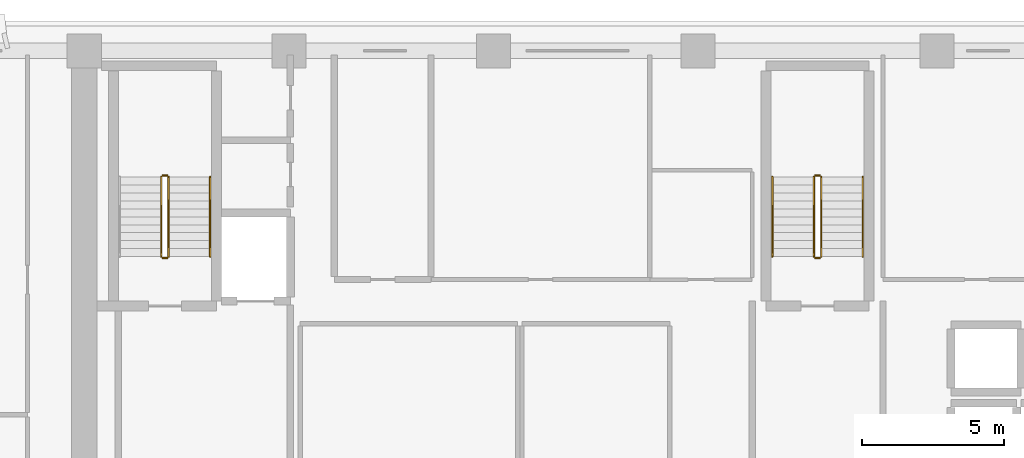
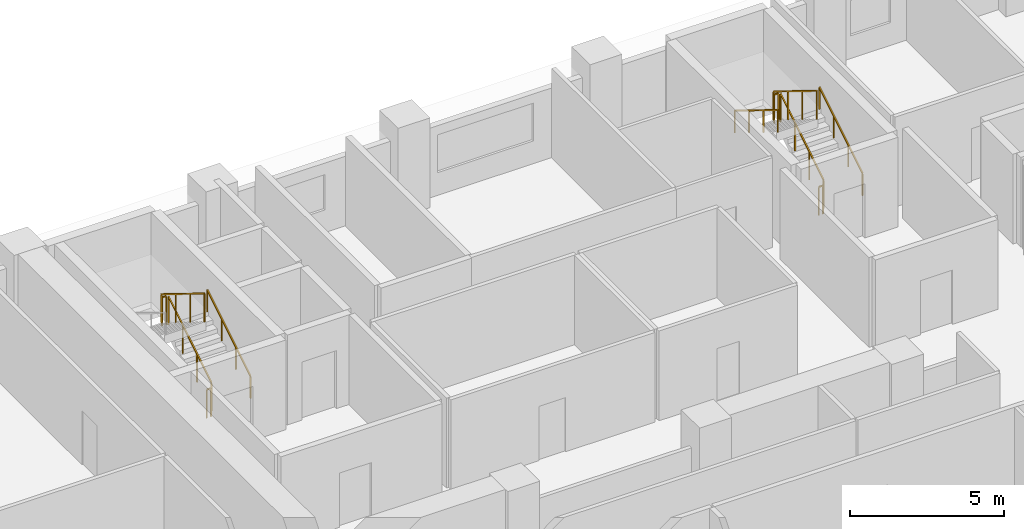
# One storey, part 12 of 14: 11 railings.
"""IFC4 building model written with IfcOpenShell, lengths in metres."""

from ifc_helpers import new_model, si_unit, direction, frame, origin, origin_2d, place, context, subcontext, project, spatial, rectangle, extrude, material, type_object, element, save


model = new_model("IFC4")

# Units and contexts
model_context = context("Model", 3, precision=1e-05, world=origin(), true_north=direction((0.0, 1.0)))
body_context = subcontext(model_context, "Body", "Model", "MODEL_VIEW")
ifc_project = project(units=[si_unit("LENGTHUNIT", "METRE"), si_unit("AREAUNIT", "SQUARE_METRE"), si_unit("VOLUMEUNIT", "CUBIC_METRE"), si_unit("PLANEANGLEUNIT", "RADIAN"), si_unit("MASSUNIT", "GRAM", prefix="KILO")], contexts=[model_context])

# Site, building, storey
site_placement = place(None, origin())
site = spatial("IfcSite", under=ifc_project, at=site_placement, CompositionType="ELEMENT")
building_placement = place(site_placement, origin())
building = spatial("IfcBuilding", under=site, at=building_placement, Name="Kaelvorn Grand Hotel", CompositionType="ELEMENT")
storey_placement = place(building_placement, frame((0.0, 0.0, 212.949951171875)))
storey = spatial("IfcBuildingStorey", under=building, at=storey_placement, Name="L52", CompositionType="ELEMENT", Elevation=212.949951171875)

# Railings
ifc_material = material(Name="Stainless Steel", Category="steel")
railing_type_1 = type_object("IfcRailingType", Name="RL-HANDRAIL-900", PredefinedType="HANDRAIL", material=ifc_material)
for number, where, name in (
    (1, (20.6298828125, 41.760009765625, 0.1728515625), "L52 ST1 stair handrail 1"),
    (2, (43.590087890625, 41.760009765625, 0.1728515625), "L52 ST2 stair handrail 1"),
):
    element("IfcRailing", number, at=place(storey_placement, frame(where)), inside=storey, type_object=railing_type_1, Name=name, PredefinedType="HANDRAIL", context=body_context, shape_type="SweptSolid", body=[
        extrude(rectangle(XDim=0.048095703125, YDim=0.048095703125, at=origin_2d()), frame((0.0, 0.0, 0.8759765625), z_axis=(0.0, 0.851089632645, 0.525020415988), x_axis=(-1.0, 0.0, 0.0)), (0.0, 0.0, 1.0), 3.2900390625),
        extrude(rectangle(XDim=0.0419921875, YDim=0.0419921875, at=origin_2d()), origin(), (0.0, 0.0, 1.0), 0.851806640625),
        extrude(rectangle(XDim=0.0419921875, YDim=0.0419921875, at=origin_2d()), frame((0.0, 0.933349609375, 0.57568359375)), (0.0, 0.0, 1.0), 0.851806640625),
        extrude(rectangle(XDim=0.0419921875, YDim=0.0419921875, at=origin_2d()), frame((0.0, 1.86669921875, 1.151611328125)), (0.0, 0.0, 1.0), 0.851806640625),
        extrude(rectangle(XDim=0.0419921875, YDim=0.0419921875, at=origin_2d()), frame((0.0, 2.800048828125, 1.727294921875)), (0.0, 0.0, 1.0), 0.851806640625),
    ])
railing_1_placement = place(storey_placement, frame((40.409912109375, 44.56005859375, 2.07275390625)))
element("IfcRailing", 3, at=railing_1_placement, inside=storey, type_object=railing_type_1, Name="L52 ST2 stair handrail 2", PredefinedType="HANDRAIL", context=body_context, shape_type="SweptSolid", body=[
    extrude(rectangle(XDim=0.048095703125, YDim=0.048095703125, at=origin_2d()), frame((0.0, 0.0, 0.8759765625), z_axis=(0.0, -0.851089632645, 0.525020415988), x_axis=(1.0, 0.0, 0.0)), (0.0, 0.0, 1.0), 3.2900390625),
    extrude(rectangle(XDim=0.0419921875, YDim=0.0419921875, at=origin_2d()), origin(), (0.0, 0.0, 1.0), 0.851806640625),
    extrude(rectangle(XDim=0.0419921875, YDim=0.0419921875, at=origin_2d()), frame((0.0, -0.933349609375, 0.57568359375)), (0.0, 0.0, 1.0), 0.851806640625),
    extrude(rectangle(XDim=0.0419921875, YDim=0.0419921875, at=origin_2d()), frame((0.0, -1.86669921875, 1.151611328125)), (0.0, 0.0, 1.0), 0.851806640625),
    extrude(rectangle(XDim=0.0419921875, YDim=0.0419921875, at=origin_2d()), frame((0.0, -2.800048828125, 1.727294921875)), (0.0, 0.0, 1.0), 0.851806640625),
])
railing_type_2 = type_object("IfcRailingType", Name="RL-STAIR-GUARD-1150", PredefinedType="BALUSTRADE", material=ifc_material)
railing_2_placement = place(storey_placement, frame((19.169921875, 41.760009765625, 0.1728515625)))
element("IfcRailing", 4, at=railing_2_placement, inside=storey, type_object=railing_type_2, Name="L52 ST1 stair guard 1", PredefinedType="BALUSTRADE", context=body_context, shape_type="SweptSolid", body=[
    extrude(rectangle(XDim=0.048095703125, YDim=0.048095703125, at=origin_2d()), frame((0.0, 0.0, 1.1259765625), z_axis=(0.0, 0.851089632645, 0.525020415988), x_axis=(-1.0, 0.0, 0.0)), (0.0, 0.0, 1.0), 3.2900390625),
    extrude(rectangle(XDim=0.0419921875, YDim=0.0419921875, at=origin_2d()), origin(), (0.0, 0.0, 1.0), 1.101806640625),
    extrude(rectangle(XDim=0.0419921875, YDim=0.0419921875, at=origin_2d()), frame((0.0, 0.933349609375, 0.57568359375)), (0.0, 0.0, 1.0), 1.101806640625),
    extrude(rectangle(XDim=0.0419921875, YDim=0.0419921875, at=origin_2d()), frame((0.0, 1.86669921875, 1.151611328125)), (0.0, 0.0, 1.0), 1.101806640625),
    extrude(rectangle(XDim=0.0419921875, YDim=0.0419921875, at=origin_2d()), frame((0.0, 2.800048828125, 1.727294921875)), (0.0, 0.0, 1.0), 1.101806640625),
])
railing_3_placement = place(storey_placement, frame((19.1201171875, 44.610107421875, 1.900146484375)))
element("IfcRailing", 5, at=railing_3_placement, inside=storey, type_object=railing_type_2, Name="L52 ST1 stair guard 2", PredefinedType="BALUSTRADE", context=body_context, shape_type="SweptSolid", body=[
    extrude(rectangle(XDim=0.048095703125, YDim=0.048095703125, at=origin_2d()), frame((0.0, 0.0, 1.1259765625), z_axis=(-1.0, 0.0, 0.0), x_axis=(0.0, -1.0, 0.0)), (0.0, 0.0, 1.0), 0.16015625),
    extrude(rectangle(XDim=0.0419921875, YDim=0.0419921875, at=origin_2d()), origin(), (0.0, 0.0, 1.0), 1.101806640625),
    extrude(rectangle(XDim=0.0419921875, YDim=0.0419921875, at=origin_2d()), frame((-0.16015625, 0.0, 0.0)), (0.0, 0.0, 1.0), 1.101806640625),
])
railing_4_placement = place(storey_placement, frame((18.909912109375, 44.56005859375, 2.07275390625)))
element("IfcRailing", 6, at=railing_4_placement, inside=storey, type_object=railing_type_2, Name="L52 ST1 stair guard 3", PredefinedType="BALUSTRADE", context=body_context, shape_type="SweptSolid", body=[
    extrude(rectangle(XDim=0.048095703125, YDim=0.048095703125, at=origin_2d()), frame((0.0, 0.0, 1.1259765625), z_axis=(0.0, -0.851089632645, 0.525020415988), x_axis=(1.0, 0.0, 0.0)), (0.0, 0.0, 1.0), 3.2900390625),
    extrude(rectangle(XDim=0.0419921875, YDim=0.0419921875, at=origin_2d()), origin(), (0.0, 0.0, 1.0), 1.101806640625),
    extrude(rectangle(XDim=0.0419921875, YDim=0.0419921875, at=origin_2d()), frame((0.0, -0.933349609375, 0.57568359375)), (0.0, 0.0, 1.0), 1.101806640625),
    extrude(rectangle(XDim=0.0419921875, YDim=0.0419921875, at=origin_2d()), frame((0.0, -1.86669921875, 1.151611328125)), (0.0, 0.0, 1.0), 1.101806640625),
    extrude(rectangle(XDim=0.0419921875, YDim=0.0419921875, at=origin_2d()), frame((0.0, -2.800048828125, 1.727294921875)), (0.0, 0.0, 1.0), 1.101806640625),
])
railing_5_placement = place(storey_placement, frame((19.1201171875, 41.7099609375, 0.0)))
element("IfcRailing", 7, at=railing_5_placement, inside=storey, type_object=railing_type_2, Name="L52 ST1 stair guard 4", PredefinedType="BALUSTRADE", context=body_context, shape_type="SweptSolid", body=[
    extrude(rectangle(XDim=0.048095703125, YDim=0.048095703125, at=origin_2d()), frame((0.0, 0.0, 1.1259765625), z_axis=(-1.0, 0.0, 0.0), x_axis=(0.0, -1.0, 0.0)), (0.0, 0.0, 1.0), 0.16015625),
    extrude(rectangle(XDim=0.0419921875, YDim=0.0419921875, at=origin_2d()), origin(), (0.0, 0.0, 1.0), 1.101806640625),
    extrude(rectangle(XDim=0.0419921875, YDim=0.0419921875, at=origin_2d()), frame((-0.16015625, 0.0, 0.0)), (0.0, 0.0, 1.0), 1.101806640625),
])
railing_6_placement = place(storey_placement, frame((42.1298828125, 41.760009765625, 0.1728515625)))
element("IfcRailing", 8, at=railing_6_placement, inside=storey, type_object=railing_type_2, Name="L52 ST2 stair guard 1", PredefinedType="BALUSTRADE", context=body_context, shape_type="SweptSolid", body=[
    extrude(rectangle(XDim=0.048095703125, YDim=0.048095703125, at=origin_2d()), frame((0.0, 0.0, 1.1259765625), z_axis=(0.0, 0.851089632645, 0.525020415988), x_axis=(-1.0, 0.0, 0.0)), (0.0, 0.0, 1.0), 3.2900390625),
    extrude(rectangle(XDim=0.0419921875, YDim=0.0419921875, at=origin_2d()), origin(), (0.0, 0.0, 1.0), 1.101806640625),
    extrude(rectangle(XDim=0.0419921875, YDim=0.0419921875, at=origin_2d()), frame((0.0, 0.933349609375, 0.57568359375)), (0.0, 0.0, 1.0), 1.101806640625),
    extrude(rectangle(XDim=0.0419921875, YDim=0.0419921875, at=origin_2d()), frame((0.0, 1.86669921875, 1.151611328125)), (0.0, 0.0, 1.0), 1.101806640625),
    extrude(rectangle(XDim=0.0419921875, YDim=0.0419921875, at=origin_2d()), frame((0.0, 2.800048828125, 1.727294921875)), (0.0, 0.0, 1.0), 1.101806640625),
])
railing_7_placement = place(storey_placement, frame((42.080078125, 44.610107421875, 1.900146484375)))
element("IfcRailing", 9, at=railing_7_placement, inside=storey, type_object=railing_type_2, Name="L52 ST2 stair guard 2", PredefinedType="BALUSTRADE", context=body_context, shape_type="SweptSolid", body=[
    extrude(rectangle(XDim=0.048095703125, YDim=0.048095703125, at=origin_2d()), frame((0.0, 0.0, 1.1259765625), z_axis=(-1.0, 0.0, 0.0), x_axis=(0.0, -1.0, 0.0)), (0.0, 0.0, 1.0), 0.16015625),
    extrude(rectangle(XDim=0.0419921875, YDim=0.0419921875, at=origin_2d()), origin(), (0.0, 0.0, 1.0), 1.101806640625),
    extrude(rectangle(XDim=0.0419921875, YDim=0.0419921875, at=origin_2d()), frame((-0.16015625, 0.0, 0.0)), (0.0, 0.0, 1.0), 1.101806640625),
])
railing_8_placement = place(storey_placement, frame((41.8701171875, 44.56005859375, 2.07275390625)))
element("IfcRailing", 10, at=railing_8_placement, inside=storey, type_object=railing_type_2, Name="L52 ST2 stair guard 3", PredefinedType="BALUSTRADE", context=body_context, shape_type="SweptSolid", body=[
    extrude(rectangle(XDim=0.048095703125, YDim=0.048095703125, at=origin_2d()), frame((0.0, 0.0, 1.1259765625), z_axis=(0.0, -0.851089632645, 0.525020415988), x_axis=(1.0, 0.0, 0.0)), (0.0, 0.0, 1.0), 3.2900390625),
    extrude(rectangle(XDim=0.0419921875, YDim=0.0419921875, at=origin_2d()), origin(), (0.0, 0.0, 1.0), 1.101806640625),
    extrude(rectangle(XDim=0.0419921875, YDim=0.0419921875, at=origin_2d()), frame((0.0, -0.933349609375, 0.57568359375)), (0.0, 0.0, 1.0), 1.101806640625),
    extrude(rectangle(XDim=0.0419921875, YDim=0.0419921875, at=origin_2d()), frame((0.0, -1.86669921875, 1.151611328125)), (0.0, 0.0, 1.0), 1.101806640625),
    extrude(rectangle(XDim=0.0419921875, YDim=0.0419921875, at=origin_2d()), frame((0.0, -2.800048828125, 1.727294921875)), (0.0, 0.0, 1.0), 1.101806640625),
])
railing_9_placement = place(storey_placement, frame((42.080078125, 41.7099609375, 0.0)))
element("IfcRailing", 11, at=railing_9_placement, inside=storey, type_object=railing_type_2, Name="L52 ST2 stair guard 4", PredefinedType="BALUSTRADE", context=body_context, shape_type="SweptSolid", body=[
    extrude(rectangle(XDim=0.048095703125, YDim=0.048095703125, at=origin_2d()), frame((0.0, 0.0, 1.1259765625), z_axis=(-1.0, 0.0, 0.0), x_axis=(0.0, -1.0, 0.0)), (0.0, 0.0, 1.0), 0.16015625),
    extrude(rectangle(XDim=0.0419921875, YDim=0.0419921875, at=origin_2d()), origin(), (0.0, 0.0, 1.0), 1.101806640625),
    extrude(rectangle(XDim=0.0419921875, YDim=0.0419921875, at=origin_2d()), frame((-0.16015625, 0.0, 0.0)), (0.0, 0.0, 1.0), 1.101806640625),
])

save(model, "model.ifc")
